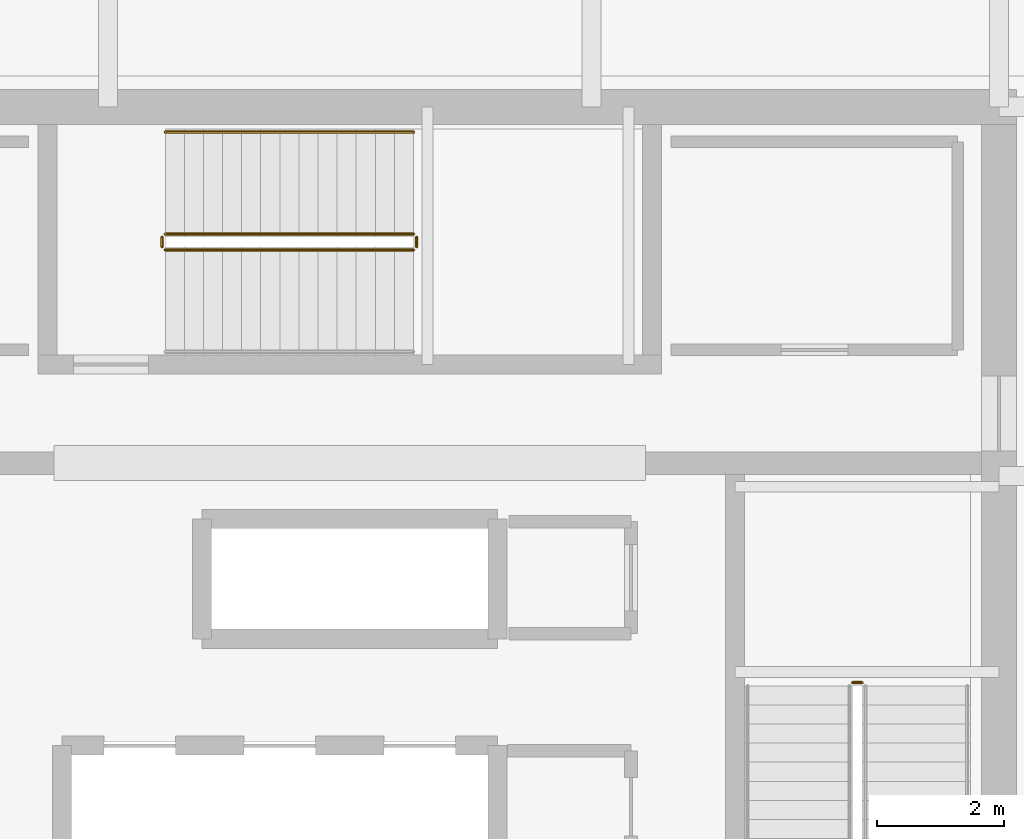
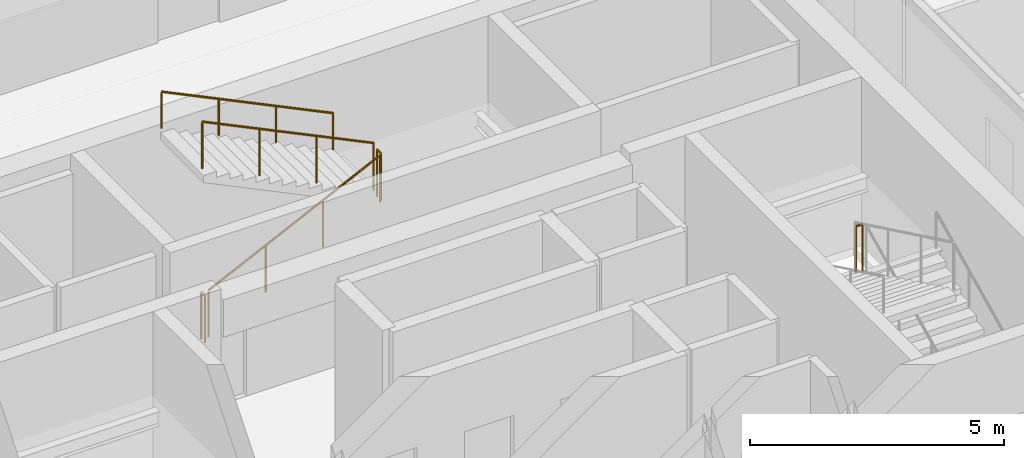
# One storey, part 41 of 42: 6 railings.
"""IFC4 building model written with IfcOpenShell, lengths in metres."""

from ifc_helpers import new_model, si_unit, direction, frame, origin, origin_2d, place, context, subcontext, project, spatial, circle, extrude, material, type_object, element, save


model = new_model("IFC4")

# Units and contexts
model_context = context("Model", 3, precision=1e-05, world=origin(), true_north=direction((0.0, 1.0)))
body_context = subcontext(model_context, "Body", "Model", "MODEL_VIEW")
ifc_project = project(units=[si_unit("LENGTHUNIT", "METRE"), si_unit("AREAUNIT", "SQUARE_METRE"), si_unit("VOLUMEUNIT", "CUBIC_METRE"), si_unit("PLANEANGLEUNIT", "RADIAN"), si_unit("MASSUNIT", "GRAM", prefix="KILO")], contexts=[model_context])

# Site, building, storey
site_placement = place(None, origin())
site = spatial("IfcSite", under=ifc_project, at=site_placement, CompositionType="ELEMENT")
building_placement = place(site_placement, origin())
building = spatial("IfcBuilding", under=site, at=building_placement, Name="Punatoya Terracotta Tower", CompositionType="ELEMENT")
storey_placement = place(building_placement, frame((0.0, 0.0, 263.550048828125)))
storey = spatial("IfcBuildingStorey", under=building, at=storey_placement, Name="L62", CompositionType="ELEMENT", Elevation=263.550048828125)

# Railings
ifc_material = material(Name="Steel S355", Category="steel")
railing_type_1 = type_object("IfcRailingType", Name="RLG-GRD-1150", PredefinedType="GUARDRAIL", material=ifc_material)
railing_1_placement = place(storey_placement, frame((8.050048828125, 0.14990234375, 2.02490234375)))
element("IfcRailing", 1, at=railing_1_placement, inside=storey, type_object=railing_type_1, Name="L62 ST-2 stair guard 2", PredefinedType="GUARDRAIL", context=body_context, shape_type="SweptSolid", body=[
    extrude(circle(Radius=0.02392578125, at=origin_2d()), frame((0.0, 0.0, 1.1259765625), z_axis=(-1.0, 0.0, 0.0), x_axis=(0.0, -1.0, 0.0)), (0.0, 0.0, 1.0), 0.150146484375),
    extrude(circle(Radius=0.02099609375, at=origin_2d()), origin(), (0.0, 0.0, 1.0), 1.101806640625),
    extrude(circle(Radius=0.02099609375, at=origin_2d()), frame((-0.150146484375, 0.0, 0.0)), (0.0, 0.0, 1.0), 1.101806640625),
])
railing_2_placement = place(storey_placement, frame((-2.89990234375, 6.949951171875, 0.14453125)))
element("IfcRailing", 2, at=railing_2_placement, inside=storey, type_object=railing_type_1, Name="L62 ST-3 stair guard 1", PredefinedType="GUARDRAIL", context=body_context, shape_type="SweptSolid", body=[
    extrude(circle(Radius=0.02392578125, at=origin_2d()), frame((0.0, 0.0, 1.1259765625), z_axis=(0.900763166376, 0.0, 0.434310623978), x_axis=(0.0, 1.0, 0.0)), (0.0, 0.0, 1.0), 4.32958984375),
    extrude(circle(Radius=0.02099609375, at=origin_2d()), origin(), (0.0, 0.0, 1.0), 1.101806640625),
    extrude(circle(Radius=0.02099609375, at=origin_2d()), frame((1.300048828125, 0.0, 0.626708984375)), (0.0, 0.0, 1.0), 1.101806640625),
    extrude(circle(Radius=0.02099609375, at=origin_2d()), frame((2.599853515625, 0.0, 1.253662109375)), (0.0, 0.0, 1.0), 1.101806640625),
    extrude(circle(Radius=0.02099609375, at=origin_2d()), frame((3.89990234375, 0.0, 1.88037109375)), (0.0, 0.0, 1.0), 1.101806640625),
])
railing_3_placement = place(storey_placement, frame((1.050048828125, 7.0, 2.02490234375)))
element("IfcRailing", 3, at=railing_3_placement, inside=storey, type_object=railing_type_1, Name="L62 ST-3 stair guard 2", PredefinedType="GUARDRAIL", context=body_context, shape_type="SweptSolid", body=[
    extrude(circle(Radius=0.02392578125, at=origin_2d()), frame((0.0, 0.0, 1.1259765625), z_axis=(0.0, 1.0, 0.0), x_axis=(-1.0, 0.0, 0.0)), (0.0, 0.0, 1.0), 0.14990234375),
    extrude(circle(Radius=0.02099609375, at=origin_2d()), origin(), (0.0, 0.0, 1.0), 1.101806640625),
    extrude(circle(Radius=0.02099609375, at=origin_2d()), frame((0.0, 0.14990234375, 0.0)), (0.0, 0.0, 1.0), 1.101806640625),
])
railing_4_placement = place(storey_placement, frame((1.0, 7.199951171875, 2.169677734375)))
element("IfcRailing", 4, at=railing_4_placement, inside=storey, type_object=railing_type_1, Name="L62 ST-3 stair guard 3", PredefinedType="GUARDRAIL", context=body_context, shape_type="SweptSolid", body=[
    extrude(circle(Radius=0.02392578125, at=origin_2d()), frame((0.0, 0.0, 1.1259765625), z_axis=(-0.900763166376, 0.0, 0.434310623978), x_axis=(0.0, -1.0, 0.0)), (0.0, 0.0, 1.0), 4.32958984375),
    extrude(circle(Radius=0.02099609375, at=origin_2d()), origin(), (0.0, 0.0, 1.0), 1.101806640625),
    extrude(circle(Radius=0.02099609375, at=origin_2d()), frame((-1.300048828125, 0.0, 0.626708984375)), (0.0, 0.0, 1.0), 1.101806640625),
    extrude(circle(Radius=0.02099609375, at=origin_2d()), frame((-2.599853515625, 0.0, 1.253662109375)), (0.0, 0.0, 1.0), 1.101806640625),
    extrude(circle(Radius=0.02099609375, at=origin_2d()), frame((-3.89990234375, 0.0, 1.88037109375)), (0.0, 0.0, 1.0), 1.101806640625),
])
railing_5_placement = place(storey_placement, frame((-2.949951171875, 7.0, 0.0)))
element("IfcRailing", 5, at=railing_5_placement, inside=storey, type_object=railing_type_1, Name="L62 ST-3 stair guard 4", PredefinedType="GUARDRAIL", context=body_context, shape_type="SweptSolid", body=[
    extrude(circle(Radius=0.02392578125, at=origin_2d()), frame((0.0, 0.0, 1.1259765625), z_axis=(0.0, 1.0, 0.0), x_axis=(-1.0, 0.0, 0.0)), (0.0, 0.0, 1.0), 0.14990234375),
    extrude(circle(Radius=0.02099609375, at=origin_2d()), origin(), (0.0, 0.0, 1.0), 1.101806640625),
    extrude(circle(Radius=0.02099609375, at=origin_2d()), frame((0.0, 0.14990234375, 0.0)), (0.0, 0.0, 1.0), 1.101806640625),
])
railing_type_2 = type_object("IfcRailingType", Name="RLG-HND-900", PredefinedType="HANDRAIL", material=ifc_material)
railing_6_placement = place(storey_placement, frame((1.0, 8.800048828125, 2.169677734375)))
element("IfcRailing", 6, at=railing_6_placement, inside=storey, type_object=railing_type_2, Name="L62 ST-3 stair handrail 2", PredefinedType="HANDRAIL", context=body_context, shape_type="SweptSolid", body=[
    extrude(circle(Radius=0.02392578125, at=origin_2d()), frame((0.0, 0.0, 0.8759765625), z_axis=(-0.900763166376, 0.0, 0.434310623978), x_axis=(0.0, -1.0, 0.0)), (0.0, 0.0, 1.0), 4.32958984375),
    extrude(circle(Radius=0.02099609375, at=origin_2d()), origin(), (0.0, 0.0, 1.0), 0.851806640625),
    extrude(circle(Radius=0.02099609375, at=origin_2d()), frame((-1.300048828125, 0.0, 0.626708984375)), (0.0, 0.0, 1.0), 0.851806640625),
    extrude(circle(Radius=0.02099609375, at=origin_2d()), frame((-2.599853515625, 0.0, 1.253662109375)), (0.0, 0.0, 1.0), 0.851806640625),
    extrude(circle(Radius=0.02099609375, at=origin_2d()), frame((-3.89990234375, 0.0, 1.88037109375)), (0.0, 0.0, 1.0), 0.851806640625),
])

save(model, "model.ifc")
